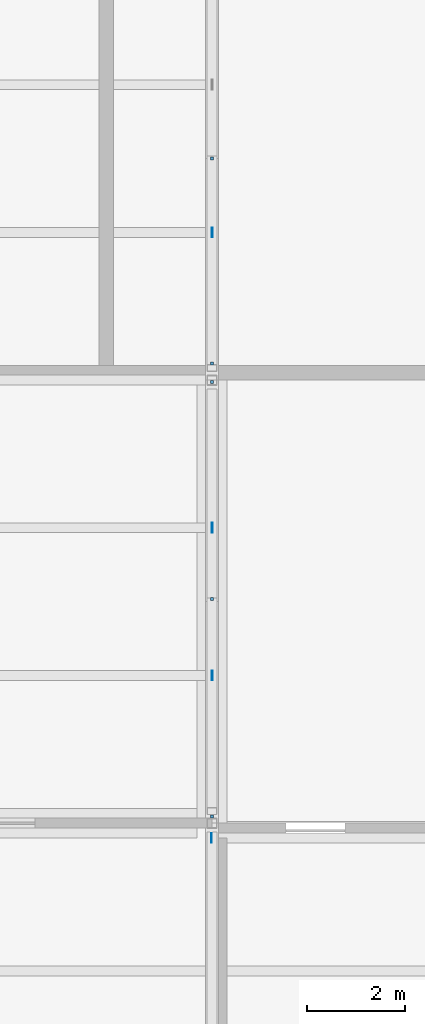
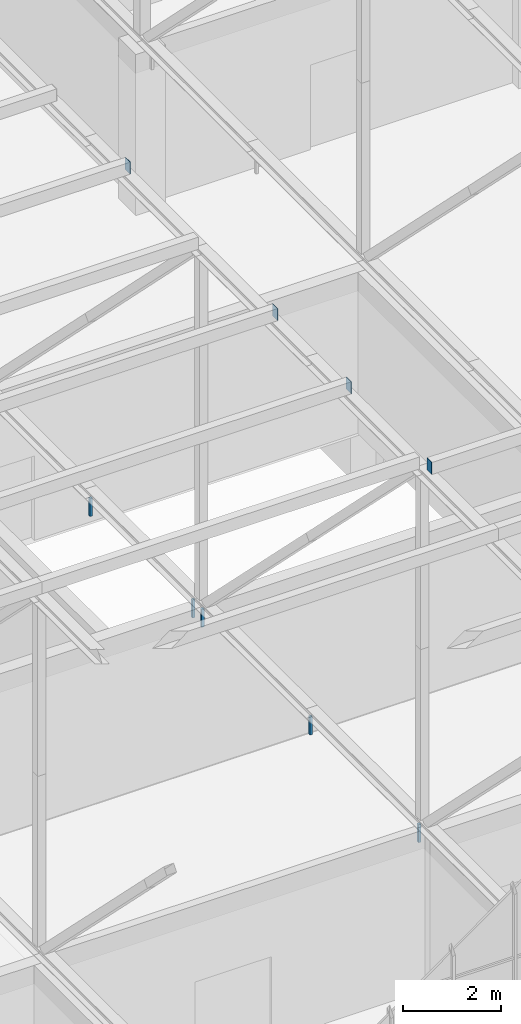
# One storey, part 179 of 646: 9 discrete accessories.
"""IFC4 building model written with IfcOpenShell, lengths in metres."""

import ifcopenshell
import ifcopenshell.guid

model = None  # the IFC model being written
_history = None  # IfcOwnerHistory: only IFC2X3 demands one
_inside = {}  # id of a spatial element -> (the spatial element, [elements in it])
_under = {}  # id of a project, library or spatial element -> (it, [spatial elements below it])
_declared = {}  # id of a project -> (the project, [libraries it declares])
_typed = {}  # id of a type object -> (the type object, [elements of that type])
_made_of = {}  # id of a material, layer set ... -> (it, [elements and type objects made of it])


def new_model(schema):
    """Start an empty IFC model of exactly this schema.

    Asked for "IFC4X3", IfcOpenShell would pick the latest addendum, in which some entities
    have other attributes; the version numbers below select the first issue.
    IFC2X3 requires an IfcOwnerHistory on every rooted entity: one is made here for all.
    """
    global model, _history
    if schema == "IFC4X3":
        model = ifcopenshell.file(schema_version=(4, 3, 0, 0))
    else:
        model = ifcopenshell.file(schema=schema)
    _inside.clear()
    _under.clear()
    _declared.clear()
    _typed.clear()
    _made_of.clear()
    _history = None
    if model.schema == "IFC2X3":
        org = make("IfcOrganization", Name="unknown")
        user = make(
            "IfcPersonAndOrganization",
            ThePerson=make("IfcPerson", FamilyName="unknown"),
            TheOrganization=org,
        )
        app = make(
            "IfcApplication",
            ApplicationDeveloper=org,
            Version="unknown",
            ApplicationFullName="unknown",
            ApplicationIdentifier="unknown",
        )
        _history = make(
            "IfcOwnerHistory",
            OwningUser=user,
            OwningApplication=app,
            ChangeAction="ADDED",
            CreationDate=0,
        )
    return model


def make(cls, **values):
    """One entity of the class cls with the attributes given. An attribute that is None is left unset."""
    return model.create_entity(
        cls, **{name: value for name, value in values.items() if value is not None}
    )


def rooted(cls, **values):
    """An entity with a GlobalId (a new one), such as an element, a storey or a relation."""
    return make(cls, GlobalId=ifcopenshell.guid.new(), OwnerHistory=_history, **values)


def si_unit(unit_type, name, prefix=None):
    """IfcSIUnit, for example si_unit("LENGTHUNIT", "METRE", prefix="MILLI")."""
    return make("IfcSIUnit", UnitType=unit_type, Prefix=prefix, Name=name)


def assignment(units):
    """IfcUnitAssignment: the units of a project."""
    return None if units is None else make("IfcUnitAssignment", Units=units)


def point(xyz):
    """IfcCartesianPoint."""
    return None if xyz is None else make("IfcCartesianPoint", Coordinates=xyz)


def direction(xyz):
    """IfcDirection."""
    return None if xyz is None else make("IfcDirection", DirectionRatios=xyz)


def frame(location, z_axis=None, x_axis=None):
    """IfcAxis2Placement3D, a coordinate frame: its origin and axes. An axis left out is left unset."""
    return make(
        "IfcAxis2Placement3D",
        Location=point(location),
        Axis=direction(z_axis),
        RefDirection=direction(x_axis),
    )


def frame_2d(location, x_axis=None):
    """IfcAxis2Placement2D, a coordinate frame in the plane: its origin and x axis."""
    return make(
        "IfcAxis2Placement2D", Location=point(location), RefDirection=direction(x_axis)
    )


def origin():
    """The frame at (0, 0, 0) with its axes left unset."""
    return frame((0.0, 0.0, 0.0))


def origin_2d():
    """The frame at (0, 0) in the plane with its x axis left unset."""
    return frame_2d((0.0, 0.0))


def place(relative_to, where):
    """IfcLocalPlacement: puts the frame where relative to a parent placement (None: the world)."""
    return make(
        "IfcLocalPlacement", PlacementRelTo=relative_to, RelativePlacement=where
    )


def context(
    kind, dimensions, precision=None, world=None, true_north=None, identifier=None
):
    """IfcGeometricRepresentationContext, for example the 3D "Model" context."""
    return make(
        "IfcGeometricRepresentationContext",
        ContextIdentifier=identifier,
        ContextType=kind,
        CoordinateSpaceDimension=dimensions,
        Precision=precision,
        WorldCoordinateSystem=world,
        TrueNorth=true_north,
    )


def subcontext(parent, identifier, kind, view, scale=None):
    """IfcGeometricRepresentationSubContext, for example "Body" below "Model"."""
    return make(
        "IfcGeometricRepresentationSubContext",
        ContextIdentifier=identifier,
        ContextType=kind,
        ParentContext=parent,
        TargetScale=scale,
        TargetView=view,
    )


def project(units=None, contexts=None):
    """IfcProject with its units and contexts."""
    return rooted(
        "IfcProject",
        Name="project",
        RepresentationContexts=contexts,
        UnitsInContext=assignment(units),
    )


def spatial(cls, under=None, at=None, **own):
    """A site, building, storey or space (cls), placed at a placement, below another one or the project."""
    s = rooted(cls, ObjectPlacement=at, **own)
    if under is not None:
        _under.setdefault(under.id(), (under, []))[1].append(s)
    return s


def profile(cls, at=None, kind="AREA", **sizes):
    """A parametric profile (cls). Its sizes go by their IFC names, for example OverallWidth=200.0."""
    return make(cls, ProfileType=kind, Position=at, **sizes)


def rectangle(**sizes):
    """IfcRectangleProfileDef."""
    return profile("IfcRectangleProfileDef", **sizes)


def extrude(swept, where, along, depth):
    """IfcExtrudedAreaSolid: the profile swept, set in the frame where, extruded along a direction by depth."""
    return make(
        "IfcExtrudedAreaSolid",
        SweptArea=swept,
        Position=where,
        ExtrudedDirection=direction(along),
        Depth=depth,
    )


def shape(context_of_items, identifier, shape_type, items):
    """IfcShapeRepresentation: the items that make up one representation, for example the "Body"."""
    return make(
        "IfcShapeRepresentation",
        ContextOfItems=context_of_items,
        RepresentationIdentifier=identifier,
        RepresentationType=shape_type,
        Items=items,
    )


def material(Name=None, Category=None):
    """IfcMaterial."""
    return make("IfcMaterial", Name=Name, Category=Category)


def layer(
    of_material, thickness, ventilated=None, Name=None, Category=None, Priority=None
):
    """IfcMaterialLayer: one layer of a wall or slab, of a material (None: an air gap)."""
    return make(
        "IfcMaterialLayer",
        Material=of_material,
        LayerThickness=thickness,
        IsVentilated=ventilated,
        Name=Name,
        Category=Category,
        Priority=Priority,
    )


def layer_set(layers, Name=None):
    """IfcMaterialLayerSet."""
    return make("IfcMaterialLayerSet", MaterialLayers=layers, LayerSetName=Name)


def made_of(thing, what):
    """Note that an element or type object is made of a material, layer set ...; save() writes the relation."""
    if what is not None:
        _made_of.setdefault(what.id(), (what, []))[1].append(thing)
    return thing


def type_object(cls, material=None, **own):
    """A type object (cls), such as IfcWallType, which elements share."""
    return made_of(rooted(cls, **own), material)


def element(
    cls,
    number,
    at=None,
    inside=None,
    cuts=None,
    type_object=None,
    material=None,
    context=None,
    identifier="Body",
    shape_type=None,
    held_by="IfcProductDefinitionShape",
    body=None,
    shapes=None,
    **own,
):
    """One element of the class cls, such as IfcWall. Its Tag is "e" and its number.

    at: its placement. inside: the storey or other place that contains it. cuts: it is an
    opening in that element (IfcRelVoidsElement). A single representation is given by context,
    identifier, shape_type and body (its items); several are given by shapes. held_by: the class
    of the entity that holds the representations. save() writes the other relations.
    """
    e = rooted(cls, Tag="e%d" % number, ObjectPlacement=at, **own)
    if body is not None:
        shapes = [shape(context, identifier, shape_type, body)]
    if shapes is not None:
        e.Representation = make(held_by, Representations=shapes)
    if inside is not None:
        _inside.setdefault(inside.id(), (inside, []))[1].append(e)
    if cuts is not None:
        rooted(
            "IfcRelVoidsElement", RelatingBuildingElement=cuts, RelatedOpeningElement=e
        )
    if type_object is not None:
        _typed.setdefault(type_object.id(), (type_object, []))[1].append(e)
    return made_of(e, material)


def aggregate(whole, parts):
    """IfcRelAggregates: a whole, such as a stair, and the parts it consists of."""
    return rooted("IfcRelAggregates", RelatingObject=whole, RelatedObjects=parts)


def save(model, path):
    """Write the relations noted so far, then the file.

    IfcRelAggregates (storeys below a building ...), IfcRelContainedInSpatialStructure (elements
    in a storey), IfcRelDefinesByType, IfcRelAssociatesMaterial and IfcRelDeclares: one each for
    every whole, place, type object, material and project.
    """
    for whole, parts in _under.values():
        aggregate(whole, parts)
    for where, things in _inside.values():
        rooted(
            "IfcRelContainedInSpatialStructure",
            RelatedElements=things,
            RelatingStructure=where,
        )
    for kind, things in _typed.values():
        rooted("IfcRelDefinesByType", RelatedObjects=things, RelatingType=kind)
    for what, things in _made_of.values():
        rooted("IfcRelAssociatesMaterial", RelatedObjects=things, RelatingMaterial=what)
    for by, libraries in _declared.values():
        rooted("IfcRelDeclares", RelatingContext=by, RelatedDefinitions=libraries)
    model.write(path)


model = new_model("IFC4")

# Units and contexts
model_context = context("Model", 3, precision=1e-05, world=origin(), true_north=direction((0.0, 1.0)))
body_context = subcontext(model_context, "Body", "Model", "MODEL_VIEW")
ifc_project = project(units=[si_unit("LENGTHUNIT", "METRE"), si_unit("AREAUNIT", "SQUARE_METRE"), si_unit("VOLUMEUNIT", "CUBIC_METRE"), si_unit("PLANEANGLEUNIT", "RADIAN"), si_unit("MASSUNIT", "GRAM", prefix="KILO")], contexts=[model_context])

# Site, building, storey
site_placement = place(None, origin())
site = spatial("IfcSite", under=ifc_project, at=site_placement, CompositionType="ELEMENT")
building_placement = place(site_placement, origin())
building = spatial("IfcBuilding", under=site, at=building_placement, Name="Silverbay Arena", CompositionType="ELEMENT")
storey_placement = place(building_placement, frame((0.0, 0.0, 33.5)))
storey = spatial("IfcBuildingStorey", under=building, at=storey_placement, Name="L05", CompositionType="ELEMENT", Elevation=33.5)

# Discrete accessories
ifc_material_1 = material(Name="Steel S355", Category="steel")
discrete_accessory_type_1 = type_object("IfcDiscreteAccessoryType", Name="Ceiling hanger", PredefinedType="BRACKET", material=ifc_material_1)
for number, where, z_axis, x_axis, name in (
    (1, (81.0, 27.139892578125, 3.5498046875), (0.0, 0.0, 1.0), (1.0, 0.0, 0.0), "Ceiling hanger"),
    (2, (81.0, 31.550048828125, 3.5498046875), (0.0, 0.0, 1.0), (1.0, 0.0, 0.0), "Ceiling hanger"),
    (3, (81.0, 35.9599609375, 3.5498046875), (0.0, 0.0, 1.0), (1.0, 0.0, 0.0), "Ceiling hanger"),
    (4, (81.0, 36.340087890625, 3.5498046875), (0.0, 0.0, 1.0), (1.0, 0.0, 0.0), "Ceiling hanger"),
    (5, (81.0, 40.5, 3.5498046875), (0.0, 0.0, 1.0), (1.0, 0.0, 0.0), "Ceiling hanger"),
):
    element("IfcDiscreteAccessory", number, at=place(storey_placement, frame(where, z_axis=z_axis, x_axis=x_axis)), inside=storey, type_object=discrete_accessory_type_1, Name=name, PredefinedType="BRACKET", context=body_context, shape_type="SweptSolid", body=[
        extrude(rectangle(XDim=0.06005859375, YDim=0.06005859375, at=origin_2d()), origin(), (0.0, 0.0, 1.0), 0.449951171875),
    ])
ifc_material_2 = material(Name="Steel S355", Category="steel")
ifc_layer = layer(ifc_material_2, 0.011962890625)
ifc_layer_set = layer_set([ifc_layer], Name="Steel S355")
discrete_accessory_type_2 = type_object("IfcDiscreteAccessoryType", Name="Purlin end plate 12", PredefinedType="USERDEFINED", material=ifc_layer_set)
for number, where, z_axis, x_axis, name in (
    (6, (81.0, 30.0, 13.14990234375), (1.0, 0.0, 0.0), (0.0, 1.0, 0.0), "Purlin end plate"),
    (7, (81.0, 33.0, 13.14990234375), (1.0, 0.0, 0.0), (0.0, 1.0, 0.0), "Purlin end plate"),
    (8, (81.0, 39.0, 13.14990234375), (1.0, 0.0, 0.0), (0.0, 1.0, 0.0), "Purlin end plate"),
    (9, (81.0, 26.699951171875, 13.14990234375), (-1.0, 0.0, 0.0), (0.0, -1.0, 0.0), "Purlin end plate"),
):
    element("IfcDiscreteAccessory", number, at=place(storey_placement, frame(where, z_axis=z_axis, x_axis=x_axis)), inside=storey, type_object=discrete_accessory_type_2, Name=name, ObjectType="END PLATE", PredefinedType="USERDEFINED", context=body_context, shape_type="SweptSolid", body=[
        extrude(rectangle(XDim=0.199951171875, YDim=0.300048828125, at=origin_2d()), origin(), (0.0, 0.0, 1.0), 0.011962890625),
    ])

save(model, "model.ifc")
